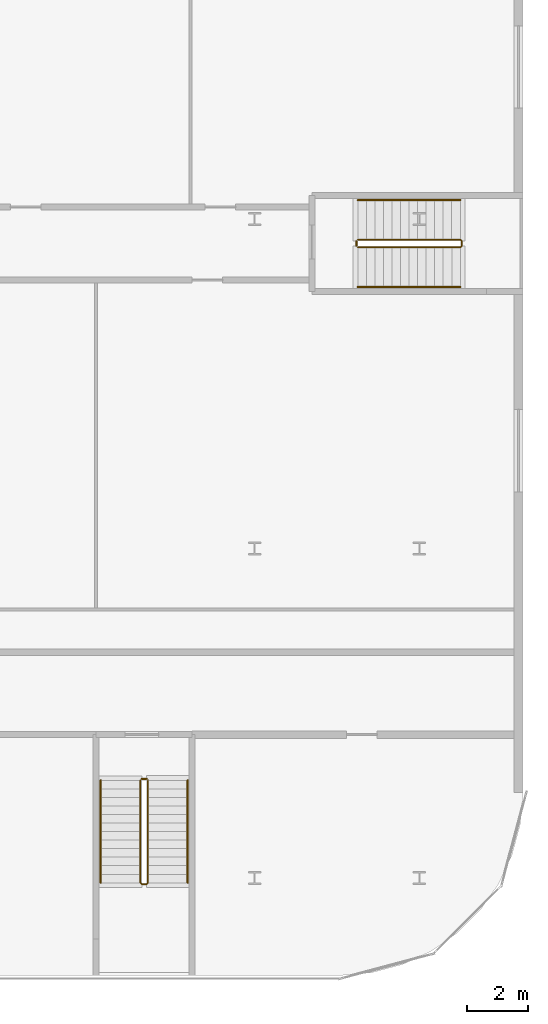
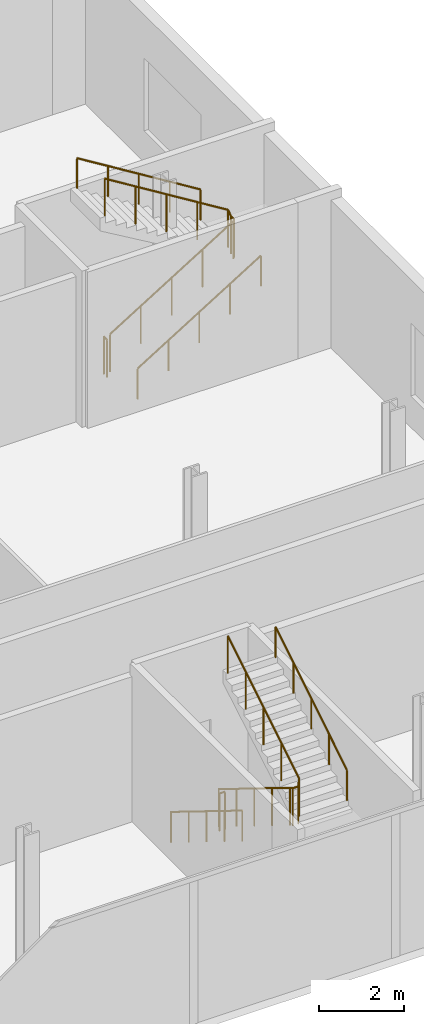
# One storey, part 42 of 47: 8 railings.
"""IFC4 building model written with IfcOpenShell, lengths in metres."""

from ifc_helpers import new_model, si_unit, direction, frame, origin, origin_2d, place, context, subcontext, project, spatial, circle, extrude, material, type_object, element, save


model = new_model("IFC4")

# Units and contexts
model_context = context("Model", 3, precision=1e-05, world=origin(), true_north=direction((0.0, 1.0)))
body_context = subcontext(model_context, "Body", "Model", "MODEL_VIEW")
ifc_project = project(units=[si_unit("LENGTHUNIT", "METRE"), si_unit("AREAUNIT", "SQUARE_METRE"), si_unit("VOLUMEUNIT", "CUBIC_METRE"), si_unit("PLANEANGLEUNIT", "RADIAN"), si_unit("MASSUNIT", "GRAM", prefix="KILO")], contexts=[model_context])

# Site, building, storey
site_placement = place(None, origin())
site = spatial("IfcSite", under=ifc_project, at=site_placement, CompositionType="ELEMENT")
building_placement = place(site_placement, origin())
building = spatial("IfcBuilding", under=site, at=building_placement, Name="Kheshtan School and Residences Tower", CompositionType="ELEMENT")
storey_placement = place(building_placement, frame((0.0, 0.0, 12.5)))
storey = spatial("IfcBuildingStorey", under=building, at=storey_placement, Name="L02", CompositionType="ELEMENT", Elevation=12.5)

# Railings
ifc_material_1 = material(Name="Stainless steel balustrade", Category="steel")
railing_type_1 = type_object("IfcRailingType", Name="Stair guard 1100", PredefinedType="GUARDRAIL", material=ifc_material_1)
railing_1_placement = place(storey_placement, frame((119.449951171875, 16.39990234375, 0.173095703125)))
element("IfcRailing", 1, at=railing_1_placement, inside=storey, type_object=railing_type_1, Name="L02 PS-118-010 stair guard 1", PredefinedType="GUARDRAIL", context=body_context, shape_type="SweptSolid", body=[
    extrude(circle(Radius=0.02392578125, at=origin_2d()), frame((0.0, 0.0, 1.076171875), z_axis=(0.0, -0.850606129759, 0.525803396734), x_axis=(1.0, 0.0, 0.0)), (0.0, 0.0, 1.0), 3.949951171875),
    extrude(circle(Radius=0.02392578125, at=origin_2d()), frame((0.0, -3.35986328125, 3.15283203125), z_axis=(0.707106781187, -0.707106781187, 0.0), x_axis=(0.707106781187, 0.707106781187, 0.0)), (0.0, 0.0, 1.0), 0.07080078125),
    extrude(circle(Radius=0.02392578125, at=origin_2d()), frame((0.050048828125, -3.409912109375, 3.15283203125), z_axis=(1.0, 0.0, 0.0), x_axis=(0.0, 1.0, 0.0)), (0.0, 0.0, 1.0), 0.14990234375),
    extrude(circle(Radius=0.02392578125, at=origin_2d()), frame((0.199951171875, -3.409912109375, 3.15283203125), z_axis=(0.267629722418, 0.267629722418, 0.925607186314), x_axis=(-0.707106781187, 0.707106781187, 0.0)), (0.0, 0.0, 1.0), 0.18701171875),
    extrude(circle(Radius=0.02392578125, at=origin_2d()), frame((0.25, -3.35986328125, 3.326171875), z_axis=(0.0, 0.850606129759, 0.525803396734), x_axis=(-1.0, 0.0, 0.0)), (0.0, 0.0, 1.0), 3.949951171875),
    extrude(circle(Radius=0.02099609375, at=origin_2d()), origin(), (0.0, 0.0, 1.0), 1.052001953125),
    extrude(circle(Radius=0.02099609375, at=origin_2d()), frame((0.0, -0.83984375, 0.519287109375)), (0.0, 0.0, 1.0), 1.052001953125),
    extrude(circle(Radius=0.02099609375, at=origin_2d()), frame((0.0, -1.679931640625, 1.03857421875)), (0.0, 0.0, 1.0), 1.052001953125),
    extrude(circle(Radius=0.02099609375, at=origin_2d()), frame((0.0, -2.52001953125, 1.5576171875)), (0.0, 0.0, 1.0), 1.052001953125),
    extrude(circle(Radius=0.02099609375, at=origin_2d()), frame((0.0, -3.35986328125, 2.076904296875)), (0.0, 0.0, 1.0), 1.052001953125),
    extrude(circle(Radius=0.02099609375, at=origin_2d()), frame((0.050048828125, -3.409912109375, 2.076904296875)), (0.0, 0.0, 1.0), 1.052001953125),
    extrude(circle(Radius=0.02099609375, at=origin_2d()), frame((0.199951171875, -3.409912109375, 2.076904296875)), (0.0, 0.0, 1.0), 1.052001953125),
    extrude(circle(Radius=0.02099609375, at=origin_2d()), frame((0.25, -3.35986328125, 2.25)), (0.0, 0.0, 1.0), 1.052001953125),
    extrude(circle(Radius=0.02099609375, at=origin_2d()), frame((0.25, -2.52001953125, 2.769287109375)), (0.0, 0.0, 1.0), 1.052001953125),
    extrude(circle(Radius=0.02099609375, at=origin_2d()), frame((0.25, -1.679931640625, 3.28857421875)), (0.0, 0.0, 1.0), 1.052001953125),
    extrude(circle(Radius=0.02099609375, at=origin_2d()), frame((0.25, -0.83984375, 3.8076171875)), (0.0, 0.0, 1.0), 1.052001953125),
    extrude(circle(Radius=0.02099609375, at=origin_2d()), frame((0.25, 0.0, 4.326904296875)), (0.0, 0.0, 1.0), 1.052001953125),
])
railing_2_placement = place(storey_placement, frame((119.5, 16.449951171875, 0.0)))
element("IfcRailing", 2, at=railing_2_placement, inside=storey, type_object=railing_type_1, Name="L02 PS-118-010 stair guard 2", PredefinedType="GUARDRAIL", context=body_context, shape_type="SweptSolid", body=[
    extrude(circle(Radius=0.02392578125, at=origin_2d()), frame((0.0, 0.0, 1.076171875), z_axis=(1.0, 0.0, 0.0), x_axis=(0.0, 1.0, 0.0)), (0.0, 0.0, 1.0), 0.14990234375),
    extrude(circle(Radius=0.02099609375, at=origin_2d()), origin(), (0.0, 0.0, 1.0), 1.052001953125),
    extrude(circle(Radius=0.02099609375, at=origin_2d()), frame((0.14990234375, 0.0, 0.0)), (0.0, 0.0, 1.0), 1.052001953125),
])
railing_3_placement = place(storey_placement, frame((126.580078125, 33.875, 0.173095703125)))
element("IfcRailing", 3, at=railing_3_placement, inside=storey, type_object=railing_type_1, Name="L02 PS-125-032 stair guard 1", PredefinedType="GUARDRAIL", context=body_context, shape_type="SweptSolid", body=[
    extrude(circle(Radius=0.02392578125, at=origin_2d()), frame((0.0, 0.0, 1.076171875), z_axis=(0.850606129759, 0.0, 0.525803396734), x_axis=(0.0, 1.0, 0.0)), (0.0, 0.0, 1.0), 3.949951171875),
    extrude(circle(Radius=0.02392578125, at=origin_2d()), frame((3.35986328125, 0.0, 3.15283203125), z_axis=(0.707106781187, 0.707106781187, 0.0), x_axis=(-0.707106781187, 0.707106781187, 0.0)), (0.0, 0.0, 1.0), 0.07080078125),
    extrude(circle(Radius=0.02392578125, at=origin_2d()), frame((3.409912109375, 0.050048828125, 3.15283203125), z_axis=(0.0, 1.0, 0.0), x_axis=(-1.0, 0.0, 0.0)), (0.0, 0.0, 1.0), 0.14990234375),
    extrude(circle(Radius=0.02392578125, at=origin_2d()), frame((3.409912109375, 0.199951171875, 3.15283203125), z_axis=(-0.267629722418, 0.267629722418, 0.925607186314), x_axis=(-0.707106781187, -0.707106781187, 0.0)), (0.0, 0.0, 1.0), 0.18701171875),
    extrude(circle(Radius=0.02392578125, at=origin_2d()), frame((3.35986328125, 0.25, 3.326171875), z_axis=(-0.850606129759, 0.0, 0.525803396734), x_axis=(0.0, -1.0, 0.0)), (0.0, 0.0, 1.0), 3.949951171875),
    extrude(circle(Radius=0.02099609375, at=origin_2d()), origin(), (0.0, 0.0, 1.0), 1.052001953125),
    extrude(circle(Radius=0.02099609375, at=origin_2d()), frame((0.83984375, 0.0, 0.519287109375)), (0.0, 0.0, 1.0), 1.052001953125),
    extrude(circle(Radius=0.02099609375, at=origin_2d()), frame((1.679931640625, 0.0, 1.03857421875)), (0.0, 0.0, 1.0), 1.052001953125),
    extrude(circle(Radius=0.02099609375, at=origin_2d()), frame((2.52001953125, 0.0, 1.5576171875)), (0.0, 0.0, 1.0), 1.052001953125),
    extrude(circle(Radius=0.02099609375, at=origin_2d()), frame((3.35986328125, 0.0, 2.076904296875)), (0.0, 0.0, 1.0), 1.052001953125),
    extrude(circle(Radius=0.02099609375, at=origin_2d()), frame((3.409912109375, 0.050048828125, 2.076904296875)), (0.0, 0.0, 1.0), 1.052001953125),
    extrude(circle(Radius=0.02099609375, at=origin_2d()), frame((3.409912109375, 0.199951171875, 2.076904296875)), (0.0, 0.0, 1.0), 1.052001953125),
    extrude(circle(Radius=0.02099609375, at=origin_2d()), frame((3.35986328125, 0.25, 2.25)), (0.0, 0.0, 1.0), 1.052001953125),
    extrude(circle(Radius=0.02099609375, at=origin_2d()), frame((2.52001953125, 0.25, 2.769287109375)), (0.0, 0.0, 1.0), 1.052001953125),
    extrude(circle(Radius=0.02099609375, at=origin_2d()), frame((1.679931640625, 0.25, 3.28857421875)), (0.0, 0.0, 1.0), 1.052001953125),
    extrude(circle(Radius=0.02099609375, at=origin_2d()), frame((0.83984375, 0.25, 3.8076171875)), (0.0, 0.0, 1.0), 1.052001953125),
    extrude(circle(Radius=0.02099609375, at=origin_2d()), frame((0.0, 0.25, 4.326904296875)), (0.0, 0.0, 1.0), 1.052001953125),
])
railing_4_placement = place(storey_placement, frame((126.530029296875, 33.925048828125, 0.0)))
element("IfcRailing", 4, at=railing_4_placement, inside=storey, type_object=railing_type_1, Name="L02 PS-125-032 stair guard 2", PredefinedType="GUARDRAIL", context=body_context, shape_type="SweptSolid", body=[
    extrude(circle(Radius=0.02392578125, at=origin_2d()), frame((0.0, 0.0, 1.076171875), z_axis=(0.0, 1.0, 0.0), x_axis=(-1.0, 0.0, 0.0)), (0.0, 0.0, 1.0), 0.14990234375),
    extrude(circle(Radius=0.02099609375, at=origin_2d()), origin(), (0.0, 0.0, 1.0), 1.052001953125),
    extrude(circle(Radius=0.02099609375, at=origin_2d()), frame((0.0, 0.14990234375, 0.0)), (0.0, 0.0, 1.0), 1.052001953125),
])
ifc_material_2 = material(Name="Stainless steel handrail", Category="steel")
railing_type_2 = type_object("IfcRailingType", Name="Stair handrail 900", PredefinedType="HANDRAIL", material=ifc_material_2)
railing_5_placement = place(storey_placement, frame((118.14990234375, 16.39990234375, 0.173095703125)))
element("IfcRailing", 5, at=railing_5_placement, inside=storey, type_object=railing_type_2, Name="L02 PS-118-010 stair handrail 1", PredefinedType="HANDRAIL", context=body_context, shape_type="SweptSolid", body=[
    extrude(circle(Radius=0.02392578125, at=origin_2d()), frame((0.0, 0.0, 0.8759765625), z_axis=(0.0, -0.850606129759, 0.525803396734), x_axis=(1.0, 0.0, 0.0)), (0.0, 0.0, 1.0), 3.949951171875),
    extrude(circle(Radius=0.02099609375, at=origin_2d()), origin(), (0.0, 0.0, 1.0), 0.851806640625),
    extrude(circle(Radius=0.02099609375, at=origin_2d()), frame((0.0, -0.83984375, 0.519287109375)), (0.0, 0.0, 1.0), 0.851806640625),
    extrude(circle(Radius=0.02099609375, at=origin_2d()), frame((0.0, -1.679931640625, 1.03857421875)), (0.0, 0.0, 1.0), 0.851806640625),
    extrude(circle(Radius=0.02099609375, at=origin_2d()), frame((0.0, -2.52001953125, 1.5576171875)), (0.0, 0.0, 1.0), 0.851806640625),
    extrude(circle(Radius=0.02099609375, at=origin_2d()), frame((0.0, -3.35986328125, 2.076904296875)), (0.0, 0.0, 1.0), 0.851806640625),
])
railing_6_placement = place(storey_placement, frame((121.0, 13.0400390625, 2.423095703125)))
element("IfcRailing", 6, at=railing_6_placement, inside=storey, type_object=railing_type_2, Name="L02 PS-118-010 stair handrail 2", PredefinedType="HANDRAIL", context=body_context, shape_type="SweptSolid", body=[
    extrude(circle(Radius=0.02392578125, at=origin_2d()), frame((0.0, 0.0, 0.8759765625), z_axis=(0.0, 0.850606129759, 0.525803396734), x_axis=(-1.0, 0.0, 0.0)), (0.0, 0.0, 1.0), 3.949951171875),
    extrude(circle(Radius=0.02099609375, at=origin_2d()), origin(), (0.0, 0.0, 1.0), 0.851806640625),
    extrude(circle(Radius=0.02099609375, at=origin_2d()), frame((0.0, 0.83984375, 0.519287109375)), (0.0, 0.0, 1.0), 0.851806640625),
    extrude(circle(Radius=0.02099609375, at=origin_2d()), frame((0.0, 1.679931640625, 1.03857421875)), (0.0, 0.0, 1.0), 0.851806640625),
    extrude(circle(Radius=0.02099609375, at=origin_2d()), frame((0.0, 2.52001953125, 1.5576171875)), (0.0, 0.0, 1.0), 0.851806640625),
    extrude(circle(Radius=0.02099609375, at=origin_2d()), frame((0.0, 3.35986328125, 2.076904296875)), (0.0, 0.0, 1.0), 0.851806640625),
])
railing_7_placement = place(storey_placement, frame((126.580078125, 32.574951171875, 0.173095703125)))
element("IfcRailing", 7, at=railing_7_placement, inside=storey, type_object=railing_type_2, Name="L02 PS-125-032 stair handrail 1", PredefinedType="HANDRAIL", context=body_context, shape_type="SweptSolid", body=[
    extrude(circle(Radius=0.02392578125, at=origin_2d()), frame((0.0, 0.0, 0.8759765625), z_axis=(0.850606129759, 0.0, 0.525803396734), x_axis=(0.0, 1.0, 0.0)), (0.0, 0.0, 1.0), 3.949951171875),
    extrude(circle(Radius=0.02099609375, at=origin_2d()), origin(), (0.0, 0.0, 1.0), 0.851806640625),
    extrude(circle(Radius=0.02099609375, at=origin_2d()), frame((0.83984375, 0.0, 0.519287109375)), (0.0, 0.0, 1.0), 0.851806640625),
    extrude(circle(Radius=0.02099609375, at=origin_2d()), frame((1.679931640625, 0.0, 1.03857421875)), (0.0, 0.0, 1.0), 0.851806640625),
    extrude(circle(Radius=0.02099609375, at=origin_2d()), frame((2.52001953125, 0.0, 1.5576171875)), (0.0, 0.0, 1.0), 0.851806640625),
    extrude(circle(Radius=0.02099609375, at=origin_2d()), frame((3.35986328125, 0.0, 2.076904296875)), (0.0, 0.0, 1.0), 0.851806640625),
])
railing_8_placement = place(storey_placement, frame((129.93994140625, 35.425048828125, 2.423095703125)))
element("IfcRailing", 8, at=railing_8_placement, inside=storey, type_object=railing_type_2, Name="L02 PS-125-032 stair handrail 2", PredefinedType="HANDRAIL", context=body_context, shape_type="SweptSolid", body=[
    extrude(circle(Radius=0.02392578125, at=origin_2d()), frame((0.0, 0.0, 0.8759765625), z_axis=(-0.850606129759, 0.0, 0.525803396734), x_axis=(0.0, -1.0, 0.0)), (0.0, 0.0, 1.0), 3.949951171875),
    extrude(circle(Radius=0.02099609375, at=origin_2d()), origin(), (0.0, 0.0, 1.0), 0.851806640625),
    extrude(circle(Radius=0.02099609375, at=origin_2d()), frame((-0.83984375, 0.0, 0.519287109375)), (0.0, 0.0, 1.0), 0.851806640625),
    extrude(circle(Radius=0.02099609375, at=origin_2d()), frame((-1.679931640625, 0.0, 1.03857421875)), (0.0, 0.0, 1.0), 0.851806640625),
    extrude(circle(Radius=0.02099609375, at=origin_2d()), frame((-2.52001953125, 0.0, 1.5576171875)), (0.0, 0.0, 1.0), 0.851806640625),
    extrude(circle(Radius=0.02099609375, at=origin_2d()), frame((-3.35986328125, 0.0, 2.076904296875)), (0.0, 0.0, 1.0), 0.851806640625),
])

save(model, "model.ifc")
